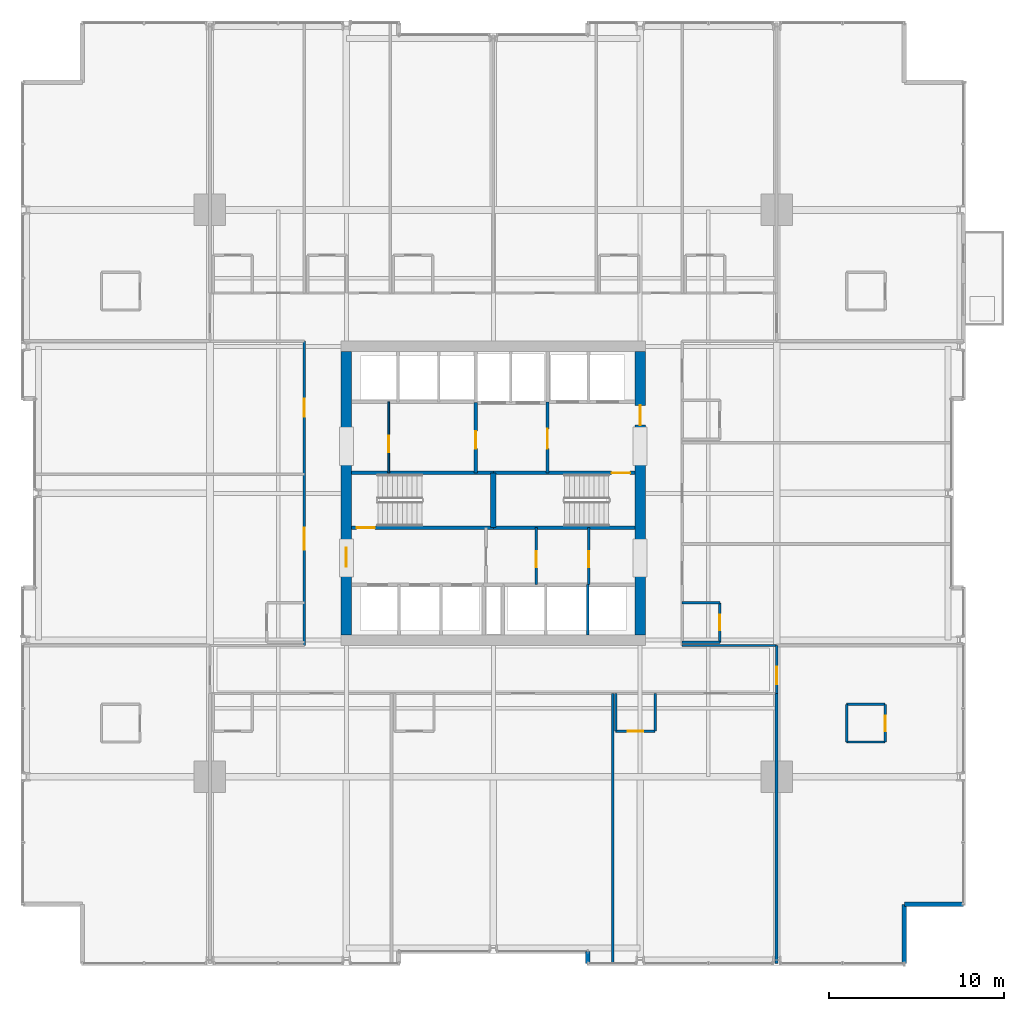
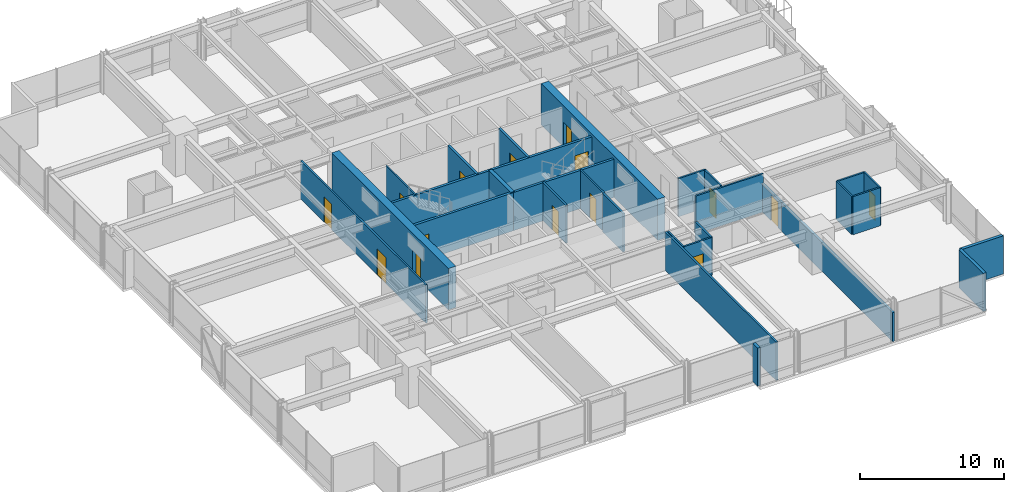
# One storey, part 31 of 38: 31 walls, 15 doors, 15 openings.
"""IFC4 building model written with IfcOpenShell, lengths in metres."""

from ifc_helpers import new_model, si_unit, direction, frame, frame_2d, origin, place, context, subcontext, project, spatial, rectangle, extrude, material, layer, layer_set, type_object, element, fill, save


model = new_model("IFC4")

# Units and contexts
model_context = context("Model", 3, precision=1e-05, world=origin(), true_north=direction((0.0, 1.0)))
body_context = subcontext(model_context, "Body", "Model", "MODEL_VIEW")
ifc_project = project(units=[si_unit("LENGTHUNIT", "METRE"), si_unit("AREAUNIT", "SQUARE_METRE"), si_unit("VOLUMEUNIT", "CUBIC_METRE"), si_unit("PLANEANGLEUNIT", "RADIAN"), si_unit("MASSUNIT", "GRAM", prefix="KILO")], contexts=[model_context])

# Site, building, storey
site_placement = place(None, origin())
site = spatial("IfcSite", under=ifc_project, at=site_placement, CompositionType="ELEMENT")
building_placement = place(site_placement, origin())
building = spatial("IfcBuilding", under=site, at=building_placement, Name="Drelvath Grand Hotel", CompositionType="ELEMENT")
storey_placement = place(building_placement, frame((0.0, 0.0, 68.199951171875)))
storey = spatial("IfcBuildingStorey", under=building, at=storey_placement, Name="L16", CompositionType="ELEMENT", Elevation=68.199951171875)

# Wall, opening, door
ifc_material_1 = material(Name="Gypsum Partition Board")
ifc_layer_1 = layer(ifc_material_1, 0.10009765625)
ifc_layer_set_1 = layer_set([ifc_layer_1], Name="Gypsum Partition Board")
wall_type_1 = type_object("IfcWallType", Name="Core Closet Partition 100", PredefinedType="PARTITIONING", material=ifc_layer_set_1)
wall_1_placement = place(storey_placement, frame((-5.97998046875, 28.159912109375, 0.0), z_axis=(0.0, 0.0, 1.0), x_axis=(0.0, 1.0, 0.0)))
wall_1 = element("IfcWall", 1, at=wall_1_placement, inside=storey, type_object=wall_type_1, Name="L16 Core Closet Divider 2", PredefinedType="PARTITIONING", context=body_context, shape_type="SweptSolid", body=[
    extrude(rectangle(XDim=4.06005859375, YDim=0.10009765625, at=frame_2d((2.030029296875, 0.0))), origin(), (0.0, 0.0, 1.0), 3.239990234375),
])
opening_1_placement = place(wall_1_placement, frame((1.199951171875, 0.0, 0.0)))
opening_1 = element("IfcOpeningElement", 2, at=opening_1_placement, cuts=wall_1, Name="Opening D-T1G4-010", PredefinedType="OPENING", context=body_context, shape_type="SweptSolid", body=[
    extrude(rectangle(XDim=0.919921875, YDim=2.10009765625, at=frame_2d((0.4599609375, 1.050048828125))), frame((0.0, 0.06005859375, 0.0), z_axis=(0.0, -1.0, 0.0), x_axis=(1.0, 0.0, 0.0)), (0.0, 0.0, 1.0), 0.1201171875),
])
ifc_material_2 = material(Name="Painted Steel S275", Category="steel")
door_type_1 = type_object("IfcDoorType", Name="Staff Utility Door 920x2100", OperationType="NOTDEFINED", PredefinedType="DOOR", material=ifc_material_2)
door_1_placement = place(opening_1_placement, origin())
door_1 = element("IfcDoor", 3, at=door_1_placement, inside=storey, type_object=door_type_1, Name="L16 Low-Voltage Closet Door", OperationType="SINGLE_SWING_RIGHT", OverallHeight=2.10009765625, OverallWidth=0.919921875, PredefinedType="DOOR", context=body_context, shape_type="SweptSolid", body=[
    extrude(rectangle(XDim=0.919921875, YDim=2.10009765625, at=frame_2d((0.4599609375, 1.050048828125))), frame((0.0, 0.02490234375, 0.0), z_axis=(0.0, -1.0, 0.0), x_axis=(1.0, 0.0, 0.0)), (0.0, 0.0, 1.0), 0.050048828125),
])
fill(opening_1, door_1)

ifc_material_3 = material(Name="Concrete C40/50", Category="concrete")
ifc_layer_2 = layer(ifc_material_3, 0.199951171875)
ifc_layer_set_2 = layer_set([ifc_layer_2], Name="Concrete C40/50")
wall_type_2 = type_object("IfcWallType", Name="Core Shaft Fire Wall 200", PredefinedType="SOLIDWALL", material=ifc_layer_set_2)
wall_2_placement = place(storey_placement, frame((-8.10009765625, 25.0400390625, 0.0), z_axis=(0.0, 0.0, 1.0), x_axis=(1.0, 0.0, 0.0)))
wall_2 = element("IfcWall", 4, at=wall_2_placement, inside=storey, type_object=wall_type_2, Name="L16 Stair ST-1 South Wall", PredefinedType="SOLIDWALL", context=body_context, shape_type="SweptSolid", body=[
    extrude(rectangle(XDim=8.10009765625, YDim=0.199951171875, at=frame_2d((4.050048828125, 0.0))), origin(), (0.0, 0.0, 1.0), 3.239990234375),
])
opening_2_placement = place(wall_2_placement, frame((0.280029296875, 0.0, 0.0)))
opening_2 = element("IfcOpeningElement", 5, at=opening_2_placement, cuts=wall_2, Name="Opening D-T1G4-001", PredefinedType="OPENING", context=body_context, shape_type="SweptSolid", body=[
    extrude(rectangle(XDim=1.050048828125, YDim=2.10009765625, at=frame_2d((0.52490234375, 1.050048828125))), frame((0.0, 0.10986328125, 0.0), z_axis=(0.0, -1.0, 0.0), x_axis=(1.0, 0.0, 0.0)), (0.0, 0.0, 1.0), 0.219970703125),
])
door_type_2 = type_object("IfcDoorType", Name="Tower Stairwell Fire Door 1050x2100", OperationType="NOTDEFINED", PredefinedType="DOOR", material=ifc_material_2)
door_2_placement = place(opening_2_placement, origin())
door_2 = element("IfcDoor", 6, at=door_2_placement, inside=storey, type_object=door_type_2, Name="L16 Exit Stair ST-1 Door", OperationType="SINGLE_SWING_LEFT", OverallHeight=2.10009765625, OverallWidth=1.050048828125, PredefinedType="DOOR", context=body_context, shape_type="SweptSolid", body=[
    extrude(rectangle(XDim=1.050048828125, YDim=2.10009765625, at=frame_2d((0.52490234375, 1.050048828125))), frame((0.0, 0.02490234375, 0.0), z_axis=(0.0, -1.0, 0.0), x_axis=(1.0, 0.0, 0.0)), (0.0, 0.0, 1.0), 0.050048828125),
])
fill(opening_2, door_2)

# Walls
for number, where, z_axis, x_axis, name in (
    (7, (-8.10009765625, 28.159912109375, 0.0), (0.0, 0.0, 1.0), (1.0, 0.0, 0.0), "L16 Stair ST-1 North Wall"),
    (8, (0.0, 25.0400390625, 0.0), (0.0, 0.0, 1.0), (1.0, 0.0, 0.0), "L16 Stair ST-2 South Wall"),
):
    element("IfcWall", number, at=place(storey_placement, frame(where, z_axis=z_axis, x_axis=x_axis)), inside=storey, type_object=wall_type_2, Name=name, PredefinedType="SOLIDWALL", context=body_context, shape_type="SweptSolid", body=[
        extrude(rectangle(XDim=8.10009765625, YDim=0.199951171875, at=frame_2d((4.050048828125, 0.0))), origin(), (0.0, 0.0, 1.0), 3.239990234375),
    ])

# Wall, opening, door
wall_3_placement = place(storey_placement, frame((8.10009765625, 28.159912109375, 0.0), z_axis=(0.0, 0.0, 1.0), x_axis=(-1.0, 0.0, 0.0)))
wall_3 = element("IfcWall", 9, at=wall_3_placement, inside=storey, type_object=wall_type_2, Name="L16 Stair ST-2 North Wall", PredefinedType="SOLIDWALL", context=body_context, shape_type="SweptSolid", body=[
    extrude(rectangle(XDim=8.10009765625, YDim=0.199951171875, at=frame_2d((4.050048828125, 0.0))), origin(), (0.0, 0.0, 1.0), 3.239990234375),
])
opening_3_placement = place(wall_3_placement, frame((0.280029296875, 0.0, 0.0)))
opening_3 = element("IfcOpeningElement", 10, at=opening_3_placement, cuts=wall_3, Name="Opening D-T1G4-002", PredefinedType="OPENING", context=body_context, shape_type="SweptSolid", body=[
    extrude(rectangle(XDim=1.050048828125, YDim=2.10009765625, at=frame_2d((0.52490234375, 1.050048828125))), frame((0.0, 0.10986328125, 0.0), z_axis=(0.0, -1.0, 0.0), x_axis=(1.0, 0.0, 0.0)), (0.0, 0.0, 1.0), 0.219970703125),
])
door_3_placement = place(opening_3_placement, origin())
door_3 = element("IfcDoor", 11, at=door_3_placement, inside=storey, type_object=door_type_2, Name="L16 Exit Stair ST-2 Door", OperationType="SINGLE_SWING_LEFT", OverallHeight=2.10009765625, OverallWidth=1.050048828125, PredefinedType="DOOR", context=body_context, shape_type="SweptSolid", body=[
    extrude(rectangle(XDim=1.050048828125, YDim=2.10009765625, at=frame_2d((0.52490234375, 1.050048828125))), frame((0.0, 0.02490234375, 0.0), z_axis=(0.0, -1.0, 0.0), x_axis=(1.0, 0.0, 0.0)), (0.0, 0.0, 1.0), 0.050048828125),
])
fill(opening_3, door_3)

# Walls
ifc_layer_3 = layer(ifc_material_3, 0.300048828125)
ifc_layer_set_3 = layer_set([ifc_layer_3], Name="Concrete C40/50")
wall_type_3 = type_object("IfcWallType", Name="Core Shaft Fire Wall 300", PredefinedType="SOLIDWALL", material=ifc_layer_set_3)
wall_4_placement = place(storey_placement, frame((0.0, 25.0400390625, 0.0), z_axis=(0.0, 0.0, 1.0), x_axis=(0.0, 1.0, 0.0)))
element("IfcWall", 12, at=wall_4_placement, inside=storey, type_object=wall_type_3, Name="L16 Core Stair Divider Wall", PredefinedType="SOLIDWALL", context=body_context, shape_type="SweptSolid", body=[
    extrude(rectangle(XDim=3.119873046875, YDim=0.300048828125, at=frame_2d((1.56005859375, 0.0))), origin(), (0.0, 0.0, 1.0), 3.239990234375),
])
ifc_material_4 = material(Name="Gypsum Fireboard Partition")
ifc_layer_4 = layer(ifc_material_4, 0.1650390625)
ifc_layer_set_4 = layer_set([ifc_layer_4], Name="Gypsum Fireboard Partition")
wall_type_4 = type_object("IfcWallType", Name="Core Shaft Partition 165", PredefinedType="PARTITIONING", material=ifc_layer_set_4)
wall_5_placement = place(storey_placement, frame((5.39990234375, 18.89990234375, 0.0), z_axis=(0.0, 0.0, 1.0), x_axis=(0.0, 1.0, 0.0)))
element("IfcWall", 13, at=wall_5_placement, inside=storey, type_object=wall_type_4, Name="L16 Lift PE-5/6 Divider", PredefinedType="PARTITIONING", context=body_context, shape_type="SweptSolid", body=[
    extrude(rectangle(XDim=2.880126953125, YDim=0.1650390625, at=frame_2d((1.43994140625, 0.0))), origin(), (0.0, 0.0, 1.0), 3.239990234375),
])
ifc_layer_5 = layer(ifc_material_4, 0.135009765625)
ifc_layer_set_5 = layer_set([ifc_layer_5], Name="Gypsum Fireboard Partition")
wall_type_5 = type_object("IfcWallType", Name="Corridor Fire Barrier Wall 135", PredefinedType="PARTITIONING", material=ifc_layer_set_5)
wall_6_placement = place(storey_placement, frame((10.800048828125, 18.300048828125, 0.0), z_axis=(0.0, 0.0, 1.0), x_axis=(1.0, 0.0, 0.0)))
element("IfcWall", 14, at=wall_6_placement, inside=storey, type_object=wall_type_5, Name="L16 SE Spur Inner Wall", PredefinedType="PARTITIONING", context=body_context, shape_type="SweptSolid", body=[
    extrude(rectangle(XDim=5.39990234375, YDim=0.135009765625, at=frame_2d((2.699951171875, 0.0))), origin(), (0.0, 0.0, 1.0), 3.239990234375),
])

# Wall, openings, doors
wall_7_placement = place(storey_placement, frame((-10.800048828125, 18.300048828125, 0.0), z_axis=(0.0, 0.0, 1.0), x_axis=(0.0, 1.0, 0.0)))
wall_7 = element("IfcWall", 15, at=wall_7_placement, inside=storey, type_object=wall_type_5, Name="L16 West Corridor Wall", PredefinedType="PARTITIONING", context=body_context, shape_type="SweptSolid", body=[
    extrude(rectangle(XDim=17.39990234375, YDim=0.135009765625, at=frame_2d((8.699951171875, 0.0))), origin(), (0.0, 0.0, 1.0), 3.239990234375),
])
opening_4_placement = place(wall_7_placement, frame((5.478759765625, 0.0, 0.0)))
opening_4 = element("IfcOpeningElement", 16, at=opening_4_placement, cuts=wall_7, Name="Opening D-T1G4-044", PredefinedType="OPENING", context=body_context, shape_type="SweptSolid", body=[
    extrude(rectangle(XDim=1.260009765625, YDim=2.199951171875, at=frame_2d((0.6298828125, 1.10009765625))), frame((0.0, 0.077392578125, 0.0), z_axis=(0.0, -1.0, 0.0), x_axis=(1.0, 0.0, 0.0)), (0.0, 0.0, 1.0), 0.155029296875),
])
opening_5_placement = place(wall_7_placement, frame((13.083740234375, 0.0, 0.0)))
opening_5 = element("IfcOpeningElement", 17, at=opening_5_placement, cuts=wall_7, Name="Opening D-T1G4-045", PredefinedType="OPENING", context=body_context, shape_type="SweptSolid", body=[
    extrude(rectangle(XDim=1.02001953125, YDim=2.14990234375, at=frame_2d((0.510009765625, 1.074951171875))), frame((0.0, 0.077392578125, 0.0), z_axis=(0.0, -1.0, 0.0), x_axis=(1.0, 0.0, 0.0)), (0.0, 0.0, 1.0), 0.155029296875),
])
ifc_material_5 = material(Name="Hardwood Walnut Timber", Category="wood")
door_type_3 = type_object("IfcDoorType", Name="Amenity Meeting Fire Door 1020x2150", OperationType="NOTDEFINED", PredefinedType="DOOR", material=ifc_material_5)
door_4_placement = place(opening_5_placement, origin())
door_4 = element("IfcDoor", 18, at=door_4_placement, inside=storey, type_object=door_type_3, Name="L16 Wellness Consultation Room Entry Door", OperationType="SINGLE_SWING_RIGHT", OverallHeight=2.14990234375, OverallWidth=1.02001953125, PredefinedType="DOOR", context=body_context, shape_type="SweptSolid", body=[
    extrude(rectangle(XDim=1.02001953125, YDim=2.14990234375, at=frame_2d((0.510009765625, 1.074951171875))), frame((0.0, 0.02490234375, 0.0), z_axis=(0.0, -1.0, 0.0), x_axis=(1.0, 0.0, 0.0)), (0.0, 0.0, 1.0), 0.050048828125),
])
fill(opening_5, door_4)
door_type_4 = type_object("IfcDoorType", Name="Suite Entrance Fire Door 1260x2200", OperationType="NOTDEFINED", PredefinedType="DOOR", material=ifc_material_5)
door_5_placement = place(opening_4_placement, origin())
door_5 = element("IfcDoor", 19, at=door_5_placement, inside=storey, type_object=door_type_4, Name="L16 Corner Suite Entry Door", OperationType="SINGLE_SWING_LEFT", OverallHeight=2.199951171875, OverallWidth=1.260009765625, PredefinedType="DOOR", context=body_context, shape_type="SweptSolid", body=[
    extrude(rectangle(XDim=1.260009765625, YDim=2.199951171875, at=frame_2d((0.6298828125, 1.10009765625))), frame((0.0, 0.02490234375, 0.0), z_axis=(0.0, -1.0, 0.0), x_axis=(1.0, 0.0, 0.0)), (0.0, 0.0, 1.0), 0.050048828125),
])
fill(opening_4, door_5)

# Wall, opening, door
wall_8_placement = place(storey_placement, frame((16.199951171875, 15.550048828125, 0.0), z_axis=(0.0, 0.0, 1.0), x_axis=(0.0, 1.0, 0.0)))
wall_8 = element("IfcWall", 20, at=wall_8_placement, inside=storey, type_object=wall_type_5, Name="L16 South Corridor East End", PredefinedType="PARTITIONING", context=body_context, shape_type="SweptSolid", body=[
    extrude(rectangle(XDim=2.75, YDim=0.135009765625, at=frame_2d((1.375, 0.0))), origin(), (0.0, 0.0, 1.0), 2.451904296875),
])
opening_6_placement = place(wall_8_placement, frame((0.52001953125, 0.0, 0.0)))
opening_6 = element("IfcOpeningElement", 21, at=opening_6_placement, cuts=wall_8, Name="Opening D-T1G4-021", PredefinedType="OPENING", context=body_context, shape_type="SweptSolid", body=[
    extrude(rectangle(XDim=1.02001953125, YDim=2.14990234375, at=frame_2d((0.510009765625, 1.074951171875))), frame((0.0, 0.077392578125, 0.0), z_axis=(0.0, -1.0, 0.0), x_axis=(1.0, 0.0, 0.0)), (0.0, 0.0, 1.0), 0.155029296875),
])
door_6_placement = place(opening_6_placement, origin())
door_6 = element("IfcDoor", 22, at=door_6_placement, inside=storey, type_object=door_type_3, Name="L16 Corner Suite Entry Door", OperationType="SINGLE_SWING_RIGHT", OverallHeight=2.14990234375, OverallWidth=1.02001953125, PredefinedType="DOOR", context=body_context, shape_type="SweptSolid", body=[
    extrude(rectangle(XDim=1.02001953125, YDim=2.14990234375, at=frame_2d((0.510009765625, 1.074951171875))), frame((0.0, 0.02490234375, 0.0), z_axis=(0.0, -1.0, 0.0), x_axis=(1.0, 0.0, 0.0)), (0.0, 0.0, 1.0), 0.050048828125),
])
fill(opening_6, door_6)

ifc_material_6 = material(Name="Moisture-Resistant Gypsum Board")
ifc_layer_6 = layer(ifc_material_6, 0.139892578125)
ifc_layer_set_6 = layer_set([ifc_layer_6], Name="Moisture-Resistant Gypsum Board")
wall_type_6 = type_object("IfcWallType", Name="En-Suite Plumbing Wall 140", PredefinedType="PLUMBINGWALL", material=ifc_layer_set_6)
wall_9_placement = place(storey_placement, frame((2.4599609375, 21.780029296875, 0.0), z_axis=(0.0, 0.0, 1.0), x_axis=(0.0, 1.0, 0.0)))
wall_9 = element("IfcWall", 23, at=wall_9_placement, inside=storey, type_object=wall_type_6, Name="L16 Staff WC West Wall", PredefinedType="PLUMBINGWALL", context=body_context, shape_type="SweptSolid", body=[
    extrude(rectangle(XDim=3.260009765625, YDim=0.139892578125, at=frame_2d((1.6298828125, 0.0))), origin(), (0.0, 0.0, 1.0), 3.239990234375),
])
opening_7_placement = place(wall_9_placement, frame((1.0, 0.0, 0.0)))
opening_7 = element("IfcOpeningElement", 24, at=opening_7_placement, cuts=wall_9, Name="Opening D-T1G4-016", PredefinedType="OPENING", context=body_context, shape_type="SweptSolid", body=[
    extrude(rectangle(XDim=0.919921875, YDim=2.10009765625, at=frame_2d((0.4599609375, 1.050048828125))), frame((0.0, 0.079833984375, 0.0), z_axis=(0.0, -1.0, 0.0), x_axis=(1.0, 0.0, 0.0)), (0.0, 0.0, 1.0), 0.159912109375),
])
door_7_placement = place(opening_7_placement, origin())
door_7 = element("IfcDoor", 25, at=door_7_placement, inside=storey, type_object=door_type_1, Name="L16 Staff WC Door", OperationType="SINGLE_SWING_LEFT", OverallHeight=2.10009765625, OverallWidth=0.919921875, PredefinedType="DOOR", context=body_context, shape_type="SweptSolid", body=[
    extrude(rectangle(XDim=0.919921875, YDim=2.10009765625, at=frame_2d((0.4599609375, 1.050048828125))), frame((0.0, 0.02490234375, 0.0), z_axis=(0.0, -1.0, 0.0), x_axis=(1.0, 0.0, 0.0)), (0.0, 0.0, 1.0), 0.050048828125),
])
fill(opening_7, door_7)

wall_10_placement = place(storey_placement, frame((5.4599609375, 21.780029296875, 0.0), z_axis=(0.0, 0.0, 1.0), x_axis=(0.0, 1.0, 0.0)))
wall_10 = element("IfcWall", 26, at=wall_10_placement, inside=storey, type_object=wall_type_6, Name="L16 Staff WC East Wall", PredefinedType="PLUMBINGWALL", context=body_context, shape_type="SweptSolid", body=[
    extrude(rectangle(XDim=3.260009765625, YDim=0.139892578125, at=frame_2d((1.6298828125, 0.0))), origin(), (0.0, 0.0, 1.0), 3.239990234375),
])
opening_8_placement = place(wall_10_placement, frame((1.0, 0.0, 0.0)))
opening_8 = element("IfcOpeningElement", 27, at=opening_8_placement, cuts=wall_10, Name="Opening D-T1G4-017", PredefinedType="OPENING", context=body_context, shape_type="SweptSolid", body=[
    extrude(rectangle(XDim=0.919921875, YDim=2.10009765625, at=frame_2d((0.4599609375, 1.050048828125))), frame((0.0, 0.079833984375, 0.0), z_axis=(0.0, -1.0, 0.0), x_axis=(1.0, 0.0, 0.0)), (0.0, 0.0, 1.0), 0.159912109375),
])
door_8_placement = place(opening_8_placement, origin())
door_8 = element("IfcDoor", 28, at=door_8_placement, inside=storey, type_object=door_type_1, Name="L16 Janitor Supply Door", OperationType="SINGLE_SWING_RIGHT", OverallHeight=2.10009765625, OverallWidth=0.919921875, PredefinedType="DOOR", context=body_context, shape_type="SweptSolid", body=[
    extrude(rectangle(XDim=0.919921875, YDim=2.10009765625, at=frame_2d((0.4599609375, 1.050048828125))), frame((0.0, 0.02490234375, 0.0), z_axis=(0.0, -1.0, 0.0), x_axis=(1.0, 0.0, 0.0)), (0.0, 0.0, 1.0), 0.050048828125),
])
fill(opening_8, door_8)

# Walls
for number, where, z_axis, x_axis, name in (
    (29, (20.199951171875, 12.780029296875, 0.0), (0.0, 0.0, 1.0), (1.0, 0.0, 0.0), "L16 Corner En-Suite South"),
    (30, (20.199951171875, 14.929931640625, 0.0), (0.0, 0.0, 1.0), (1.0, 0.0, 0.0), "L16 Corner En-Suite North"),
):
    element("IfcWall", number, at=place(storey_placement, frame(where, z_axis=z_axis, x_axis=x_axis)), inside=storey, type_object=wall_type_6, Name=name, PredefinedType="PLUMBINGWALL", context=body_context, shape_type="SweptSolid", body=[
        extrude(rectangle(XDim=2.199951171875, YDim=0.139892578125, at=frame_2d((1.10009765625, 0.0))), origin(), (0.0, 0.0, 1.0), 3.239990234375),
    ])
wall_11_placement = place(storey_placement, frame((20.199951171875, 12.780029296875, 0.0), z_axis=(0.0, 0.0, 1.0), x_axis=(0.0, 1.0, 0.0)))
element("IfcWall", 31, at=wall_11_placement, inside=storey, type_object=wall_type_6, Name="L16 Corner En-Suite West", PredefinedType="PLUMBINGWALL", context=body_context, shape_type="SweptSolid", body=[
    extrude(rectangle(XDim=2.14990234375, YDim=0.139892578125, at=frame_2d((1.074951171875, 0.0))), origin(), (0.0, 0.0, 1.0), 3.239990234375),
])

# Wall, opening, door
wall_12_placement = place(storey_placement, frame((22.39990234375, 12.780029296875, 0.0), z_axis=(0.0, 0.0, 1.0), x_axis=(0.0, 1.0, 0.0)))
wall_12 = element("IfcWall", 32, at=wall_12_placement, inside=storey, type_object=wall_type_6, Name="L16 Corner En-Suite East", PredefinedType="PLUMBINGWALL", context=body_context, shape_type="SweptSolid", body=[
    extrude(rectangle(XDim=2.14990234375, YDim=0.139892578125, at=frame_2d((1.074951171875, 0.0))), origin(), (0.0, 0.0, 1.0), 3.239990234375),
])
opening_9_placement = place(wall_12_placement, frame((0.6201171875, 0.0, 0.0)))
opening_9 = element("IfcOpeningElement", 33, at=opening_9_placement, cuts=wall_12, Name="Opening D-T1G4-020", PredefinedType="OPENING", context=body_context, shape_type="SweptSolid", body=[
    extrude(rectangle(XDim=0.8798828125, YDim=2.10009765625, at=frame_2d((0.43994140625, 1.050048828125))), frame((0.0, 0.079833984375, 0.0), z_axis=(0.0, -1.0, 0.0), x_axis=(1.0, 0.0, 0.0)), (0.0, 0.0, 1.0), 0.159912109375),
])
door_type_5 = type_object("IfcDoorType", Name="En-Suite Bathroom Door 880x2100", OperationType="NOTDEFINED", PredefinedType="DOOR", material=ifc_material_5)
door_9_placement = place(opening_9_placement, origin())
door_9 = element("IfcDoor", 34, at=door_9_placement, inside=storey, type_object=door_type_5, Name="L16 Corner En-Suite Door", OperationType="SINGLE_SWING_LEFT", OverallHeight=2.10009765625, OverallWidth=0.8798828125, PredefinedType="DOOR", context=body_context, shape_type="SweptSolid", body=[
    extrude(rectangle(XDim=0.8798828125, YDim=2.10009765625, at=frame_2d((0.43994140625, 1.050048828125))), frame((0.0, 0.02490234375, 0.0), z_axis=(0.0, -1.0, 0.0), x_axis=(1.0, 0.0, 0.0)), (0.0, 0.0, 1.0), 0.050048828125),
])
fill(opening_9, door_9)

# Walls
for number, where, z_axis, x_axis, name in (
    (35, (7.001220703125, 15.550048828125, 0.0), (0.0, 0.0, 1.0), (0.0, -1.0, 0.0), "L16 En-Suite Left Wall"),
    (36, (9.251220703125, 15.550048828125, 0.0), (0.0, 0.0, 1.0), (0.0, -1.0, 0.0), "L16 En-Suite Right Wall"),
):
    element("IfcWall", number, at=place(storey_placement, frame(where, z_axis=z_axis, x_axis=x_axis)), inside=storey, type_object=wall_type_6, Name=name, PredefinedType="PLUMBINGWALL", context=body_context, shape_type="SweptSolid", body=[
        extrude(rectangle(XDim=2.150146484375, YDim=0.139892578125, at=frame_2d((1.0751953125, 0.0))), origin(), (0.0, 0.0, 1.0), 3.239990234375),
    ])

# Wall, opening, door
wall_13_placement = place(storey_placement, frame((7.001220703125, 13.39990234375, 0.0), z_axis=(0.0, 0.0, 1.0), x_axis=(1.0, 0.0, 0.0)))
wall_13 = element("IfcWall", 37, at=wall_13_placement, inside=storey, type_object=wall_type_6, Name="L16 En-Suite Front Wall", PredefinedType="PLUMBINGWALL", context=body_context, shape_type="SweptSolid", body=[
    extrude(rectangle(XDim=2.25, YDim=0.139892578125, at=frame_2d((1.125, 0.0))), origin(), (0.0, 0.0, 1.0), 3.239990234375),
])
opening_10_placement = place(wall_13_placement, frame((0.68505859375, 0.0, 0.0)))
opening_10 = element("IfcOpeningElement", 38, at=opening_10_placement, cuts=wall_13, Name="Opening D-T1G4-030", PredefinedType="OPENING", context=body_context, shape_type="SweptSolid", body=[
    extrude(rectangle(XDim=0.8798828125, YDim=2.10009765625, at=frame_2d((0.43994140625, 1.050048828125))), frame((0.0, 0.079833984375, 0.0), z_axis=(0.0, -1.0, 0.0), x_axis=(1.0, 0.0, 0.0)), (0.0, 0.0, 1.0), 0.159912109375),
])
door_10_placement = place(opening_10_placement, origin())
door_10 = element("IfcDoor", 39, at=door_10_placement, inside=storey, type_object=door_type_5, Name="L16 En-Suite Bathroom Door", OperationType="SINGLE_SWING_LEFT", OverallHeight=2.10009765625, OverallWidth=0.8798828125, PredefinedType="DOOR", context=body_context, shape_type="SweptSolid", body=[
    extrude(rectangle(XDim=0.8798828125, YDim=2.10009765625, at=frame_2d((0.43994140625, 1.050048828125))), frame((0.0, 0.02490234375, 0.0), z_axis=(0.0, -1.0, 0.0), x_axis=(1.0, 0.0, 0.0)), (0.0, 0.0, 1.0), 0.050048828125),
])
fill(opening_10, door_10)

# Walls
wall_14_placement = place(storey_placement, frame((10.800048828125, 18.47998046875, 0.0), z_axis=(0.0, 0.0, 1.0), x_axis=(1.0, 0.0, 0.0)))
element("IfcWall", 40, at=wall_14_placement, inside=storey, type_object=wall_type_6, Name="L16 En-Suite Left Wall", PredefinedType="PLUMBINGWALL", context=body_context, shape_type="SweptSolid", body=[
    extrude(rectangle(XDim=2.14990234375, YDim=0.139892578125, at=frame_2d((1.074951171875, 0.0))), origin(), (0.0, 0.0, 1.0), 2.617431640625),
])
wall_15_placement = place(storey_placement, frame((10.800048828125, 20.72998046875, 0.0), z_axis=(0.0, 0.0, 1.0), x_axis=(1.0, 0.0, 0.0)))
element("IfcWall", 41, at=wall_15_placement, inside=storey, type_object=wall_type_6, Name="L16 En-Suite Right Wall", PredefinedType="PLUMBINGWALL", context=body_context, shape_type="SweptSolid", body=[
    extrude(rectangle(XDim=2.14990234375, YDim=0.139892578125, at=frame_2d((1.074951171875, 0.0))), origin(), (0.0, 0.0, 1.0), 3.239990234375),
])

# Wall, opening, door
wall_16_placement = place(storey_placement, frame((12.949951171875, 18.47998046875, 0.0), z_axis=(0.0, 0.0, 1.0), x_axis=(0.0, 1.0, 0.0)))
wall_16 = element("IfcWall", 42, at=wall_16_placement, inside=storey, type_object=wall_type_6, Name="L16 En-Suite Front Wall", PredefinedType="PLUMBINGWALL", context=body_context, shape_type="SweptSolid", body=[
    extrude(rectangle(XDim=2.25, YDim=0.139892578125, at=frame_2d((1.125, 0.0))), origin(), (0.0, 0.0, 1.0), 3.239990234375),
])
opening_11_placement = place(wall_16_placement, frame((0.68505859375, 0.0, 0.0)))
opening_11 = element("IfcOpeningElement", 43, at=opening_11_placement, cuts=wall_16, Name="Opening D-T1G4-046", PredefinedType="OPENING", context=body_context, shape_type="SweptSolid", body=[
    extrude(rectangle(XDim=0.8798828125, YDim=2.10009765625, at=frame_2d((0.43994140625, 1.050048828125))), frame((0.0, 0.079833984375, 0.0), z_axis=(0.0, -1.0, 0.0), x_axis=(1.0, 0.0, 0.0)), (0.0, 0.0, 1.0), 0.159912109375),
])
door_11_placement = place(opening_11_placement, origin())
door_11 = element("IfcDoor", 44, at=door_11_placement, inside=storey, type_object=door_type_5, Name="L16 En-Suite Bathroom Door", OperationType="SINGLE_SWING_LEFT", OverallHeight=2.10009765625, OverallWidth=0.8798828125, PredefinedType="DOOR", context=body_context, shape_type="SweptSolid", body=[
    extrude(rectangle(XDim=0.8798828125, YDim=2.10009765625, at=frame_2d((0.43994140625, 1.050048828125))), frame((0.0, 0.02490234375, 0.0), z_axis=(0.0, -1.0, 0.0), x_axis=(1.0, 0.0, 0.0)), (0.0, 0.0, 1.0), 0.050048828125),
])
fill(opening_11, door_11)

ifc_layer_7 = layer(ifc_material_4, 0.179931640625)
ifc_layer_set_7 = layer_set([ifc_layer_7], Name="Gypsum Fireboard Partition")
wall_type_7 = type_object("IfcWallType", Name="FSAE Smoke Lobby Fire Wall 180", PredefinedType="SOLIDWALL", material=ifc_layer_set_7)
wall_17_placement = place(storey_placement, frame((3.10009765625, 28.159912109375, 0.0), z_axis=(0.0, 0.0, 1.0), x_axis=(0.0, 1.0, 0.0)))
wall_17 = element("IfcWall", 45, at=wall_17_placement, inside=storey, type_object=wall_type_7, Name="L16 FSAE Smoke Lobby West Wall", PredefinedType="SOLIDWALL", context=body_context, shape_type="SweptSolid", body=[
    extrude(rectangle(XDim=4.06005859375, YDim=0.179931640625, at=frame_2d((2.030029296875, 0.0))), origin(), (0.0, 0.0, 1.0), 3.239990234375),
])
opening_12_placement = place(wall_17_placement, frame((1.39990234375, 0.0, 0.0)))
opening_12 = element("IfcOpeningElement", 46, at=opening_12_placement, cuts=wall_17, Name="Opening D-T1G4-005", PredefinedType="OPENING", context=body_context, shape_type="SweptSolid", body=[
    extrude(rectangle(XDim=1.1201171875, YDim=2.10009765625, at=frame_2d((0.56005859375, 1.050048828125))), frame((0.0, 0.099853515625, 0.0), z_axis=(0.0, -1.0, 0.0), x_axis=(1.0, 0.0, 0.0)), (0.0, 0.0, 1.0), 0.199951171875),
])
door_type_6 = type_object("IfcDoorType", Name="FSAE Smoke Lobby Fire Door 1120x2100", OperationType="NOTDEFINED", PredefinedType="DOOR", material=ifc_material_2)
door_12_placement = place(opening_12_placement, origin())
door_12 = element("IfcDoor", 47, at=door_12_placement, inside=storey, type_object=door_type_6, Name="L16 FSAE Lobby Service Vestibule Door", OperationType="SINGLE_SWING_RIGHT", OverallHeight=2.10009765625, OverallWidth=1.1201171875, PredefinedType="DOOR", context=body_context, shape_type="SweptSolid", body=[
    extrude(rectangle(XDim=1.1201171875, YDim=2.10009765625, at=frame_2d((0.56005859375, 1.050048828125))), frame((0.0, 0.02490234375, 0.0), z_axis=(0.0, -1.0, 0.0), x_axis=(1.0, 0.0, 0.0)), (0.0, 0.0, 1.0), 0.050048828125),
])
fill(opening_12, door_12)

wall_18_placement = place(storey_placement, frame((-1.0, 28.159912109375, 0.0), z_axis=(0.0, 0.0, 1.0), x_axis=(0.0, 1.0, 0.0)))
wall_18 = element("IfcWall", 48, at=wall_18_placement, inside=storey, type_object=wall_type_7, Name="L16 Service Vestibule West Wall", PredefinedType="SOLIDWALL", context=body_context, shape_type="SweptSolid", body=[
    extrude(rectangle(XDim=4.02001953125, YDim=0.179931640625, at=frame_2d((2.010009765625, 0.0))), origin(), (0.0, 0.0, 1.0), 3.239990234375),
])
opening_13_placement = place(wall_18_placement, frame((1.39990234375, 0.0, 0.0)))
opening_13 = element("IfcOpeningElement", 49, at=opening_13_placement, cuts=wall_18, Name="Opening D-T1G4-009", PredefinedType="OPENING", context=body_context, shape_type="SweptSolid", body=[
    extrude(rectangle(XDim=1.0, YDim=2.10009765625, at=frame_2d((0.5, 1.050048828125))), frame((0.0, 0.099853515625, 0.0), z_axis=(0.0, -1.0, 0.0), x_axis=(1.0, 0.0, 0.0)), (0.0, 0.0, 1.0), 0.199951171875),
])
door_type_7 = type_object("IfcDoorType", Name="Core Service Fire Door 1000x2100", OperationType="NOTDEFINED", PredefinedType="DOOR", material=ifc_material_2)
door_13_placement = place(opening_13_placement, origin())
door_13 = element("IfcDoor", 50, at=door_13_placement, inside=storey, type_object=door_type_7, Name="L16 Service Vestibule West Door", OperationType="SINGLE_SWING_LEFT", OverallHeight=2.10009765625, OverallWidth=1.0, PredefinedType="DOOR", context=body_context, shape_type="SweptSolid", body=[
    extrude(rectangle(XDim=1.0, YDim=2.10009765625, at=frame_2d((0.5, 1.050048828125))), frame((0.0, 0.02490234375, 0.0), z_axis=(0.0, -1.0, 0.0), x_axis=(1.0, 0.0, 0.0)), (0.0, 0.0, 1.0), 0.050048828125),
])
fill(opening_13, door_13)

# Wall
ifc_material_7 = material(Name="Gypsum Acoustic Partition")
ifc_layer_8 = layer(ifc_material_7, 0.14990234375)
ifc_layer_set_8 = layer_set([ifc_layer_8], Name="Gypsum Acoustic Partition")
wall_type_8 = type_object("IfcWallType", Name="Guestroom Demising Wall 150", PredefinedType="PARTITIONING", material=ifc_layer_set_8)
wall_19_placement = place(storey_placement, frame((6.821044921875, 0.1201171875, 0.0), z_axis=(0.0, 0.0, 1.0), x_axis=(0.0, 1.0, 0.0)))
element("IfcWall", 51, at=wall_19_placement, inside=storey, type_object=wall_type_8, Name="L16 South Demising 2", PredefinedType="PARTITIONING", context=body_context, shape_type="SweptSolid", body=[
    extrude(rectangle(XDim=15.429931640625, YDim=0.14990234375, at=frame_2d((7.71484375, 0.0))), origin(), (0.0, 0.0, 1.0), 3.239990234375),
])

# Wall, opening, door
ifc_material_8 = material(Name="Concrete f'c 70 MPa", Category="concrete")
ifc_layer_9 = layer(ifc_material_8, 0.60009765625)
ifc_layer_set_9 = layer_set([ifc_layer_9], Name="Concrete f'c 70 MPa")
wall_type_9 = type_object("IfcWallType", Name="Lower Core RC Shear Wall 600", PredefinedType="SHEAR", material=ifc_layer_set_9)
wall_20_placement = place(storey_placement, frame((8.39990234375, 35.10009765625, 0.0), z_axis=(0.0, 0.0, 1.0), x_axis=(0.0, -1.0, 0.0)))
wall_20 = element("IfcWall", 52, at=wall_20_placement, inside=storey, type_object=wall_type_9, Name="L16 Central Core Shear Wall E", PredefinedType="SHEAR", context=body_context, shape_type="SweptSolid", body=[
    extrude(rectangle(XDim=16.2001953125, YDim=0.60009765625, at=frame_2d((8.10009765625, 0.0))), origin(), (0.0, 0.0, 1.0), 3.5),
])
opening_14_placement = place(wall_20_placement, frame((3.080078125, 0.0, 0.0)))
opening_14 = element("IfcOpeningElement", 53, at=opening_14_placement, cuts=wall_20, Name="Opening D-T1G4-006", PredefinedType="OPENING", context=body_context, shape_type="SweptSolid", body=[
    extrude(rectangle(XDim=1.1201171875, YDim=2.10009765625, at=frame_2d((0.56005859375, 1.050048828125))), frame((0.0, 0.31005859375, 0.0), z_axis=(0.0, -1.0, 0.0), x_axis=(1.0, 0.0, 0.0)), (0.0, 0.0, 1.0), 0.6201171875),
])
door_14_placement = place(opening_14_placement, origin())
door_14 = element("IfcDoor", 54, at=door_14_placement, inside=storey, type_object=door_type_6, Name="L16 FSAE Lobby East Corridor Door", OperationType="SINGLE_SWING_LEFT", OverallHeight=2.10009765625, OverallWidth=1.1201171875, PredefinedType="DOOR", context=body_context, shape_type="SweptSolid", body=[
    extrude(rectangle(XDim=1.1201171875, YDim=2.10009765625, at=frame_2d((0.56005859375, 1.050048828125))), frame((0.0, 0.02490234375, 0.0), z_axis=(0.0, -1.0, 0.0), x_axis=(1.0, 0.0, 0.0)), (0.0, 0.0, 1.0), 0.050048828125),
])
fill(opening_14, door_14)

wall_21_placement = place(storey_placement, frame((-8.39990234375, 18.89990234375, 0.0), z_axis=(0.0, 0.0, 1.0), x_axis=(0.0, 1.0, 0.0)))
wall_21 = element("IfcWall", 55, at=wall_21_placement, inside=storey, type_object=wall_type_9, Name="L16 Central Core Shear Wall W", PredefinedType="SHEAR", context=body_context, shape_type="SweptSolid", body=[
    extrude(rectangle(XDim=16.2001953125, YDim=0.60009765625, at=frame_2d((8.10009765625, 0.0))), origin(), (0.0, 0.0, 1.0), 3.5),
])
opening_15_placement = place(wall_21_placement, frame((3.89990234375, 0.0, 0.0)))
opening_15 = element("IfcOpeningElement", 56, at=opening_15_placement, cuts=wall_21, Name="Opening D-T1G4-015", PredefinedType="OPENING", context=body_context, shape_type="SweptSolid", body=[
    extrude(rectangle(XDim=1.080078125, YDim=2.0400390625, at=frame_2d((0.5400390625, 1.02001953125))), frame((0.0, 0.31005859375, 0.0), z_axis=(0.0, -1.0, 0.0), x_axis=(1.0, 0.0, 0.0)), (0.0, 0.0, 1.0), 0.6201171875),
])
door_type_8 = type_object("IfcDoorType", Name="Core Corridor Fire Door 1080x2100", OperationType="NOTDEFINED", PredefinedType="DOOR", material=ifc_material_2)
door_15_placement = place(opening_15_placement, origin())
door_15 = element("IfcDoor", 57, at=door_15_placement, inside=storey, type_object=door_type_8, Name="L16 Low-Rise Lobby West Door", OperationType="SINGLE_SWING_RIGHT", OverallHeight=2.0400390625, OverallWidth=1.080078125, PredefinedType="DOOR", context=body_context, shape_type="SweptSolid", body=[
    extrude(rectangle(XDim=1.080078125, YDim=2.0400390625, at=frame_2d((0.5400390625, 1.02001953125))), frame((0.0, 0.02490234375, 0.0), z_axis=(0.0, -1.0, 0.0), x_axis=(1.0, 0.0, 0.0)), (0.0, 0.0, 1.0), 0.050048828125),
])
fill(opening_15, door_15)

# Walls
ifc_layer_10 = layer(ifc_material_7, 0.1650390625)
ifc_layer_set_10 = layer_set([ifc_layer_10], Name="Gypsum Acoustic Partition")
wall_type_10 = type_object("IfcWallType", Name="Suite Demising Wall 165", PredefinedType="PARTITIONING", material=ifc_layer_set_10)
wall_22_placement = place(storey_placement, frame((16.199951171875, 0.1201171875, 0.0), z_axis=(0.0, 0.0, 1.0), x_axis=(0.0, 1.0, 0.0)))
element("IfcWall", 58, at=wall_22_placement, inside=storey, type_object=wall_type_10, Name="L16 SE Wing Boundary Wall", PredefinedType="PARTITIONING", context=body_context, shape_type="SweptSolid", body=[
    extrude(rectangle(XDim=15.429931640625, YDim=0.1650390625, at=frame_2d((7.71484375, 0.0))), origin(), (0.0, 0.0, 1.0), 2.451904296875),
])
ifc_material_9 = material(Name="Pale-Metal Insulated Aluminium Spandrel Assembly", Category="aluminium")
ifc_layer_11 = layer(ifc_material_9, 0.239990234375)
ifc_layer_set_11 = layer_set([ifc_layer_11], Name="Pale-Metal Insulated Aluminium Spandrel Assembly")
wall_type_11 = type_object("IfcWallType", Name="Tower Insulated Metal Spandrel Closure Wall 240", PredefinedType="STANDARD", material=ifc_layer_set_11)
for number, where, z_axis, x_axis, name in (
    (59, (26.8798828125, 3.5, 0.0), (0.0, 0.0, 1.0), (-1.0, 0.0, 0.0), "L16 Notched Corner Return Spandrel Wall CSE1"),
    (60, (23.5, 3.5, 0.0), (0.0, 0.0, 1.0), (0.0, -1.0, 0.0), "L16 Notched Corner Return Spandrel Wall CSE2"),
):
    element("IfcWall", number, at=place(storey_placement, frame(where, z_axis=z_axis, x_axis=x_axis)), inside=storey, type_object=wall_type_11, Name=name, PredefinedType="STANDARD", context=body_context, shape_type="SweptSolid", body=[
        extrude(rectangle(XDim=3.3798828125, YDim=0.239990234375, at=frame_2d((1.68994140625, 0.0))), origin(), (0.0, 0.0, 1.0), 3.239990234375),
    ])
wall_23_placement = place(storey_placement, frame((5.39990234375, 0.1201171875, 0.0), z_axis=(0.0, 0.0, 1.0), x_axis=(0.0, 1.0, 0.0)))
element("IfcWall", 61, at=wall_23_placement, inside=storey, type_object=wall_type_11, Name="L16 Notched Corner Return Spandrel Wall RS1", PredefinedType="STANDARD", context=body_context, shape_type="SweptSolid", body=[
    extrude(rectangle(XDim=0.679931640625, YDim=0.239990234375, at=frame_2d((0.33984375, 0.0))), origin(), (0.0, 0.0, 1.0), 3.239990234375),
])

save(model, "model.ifc")
